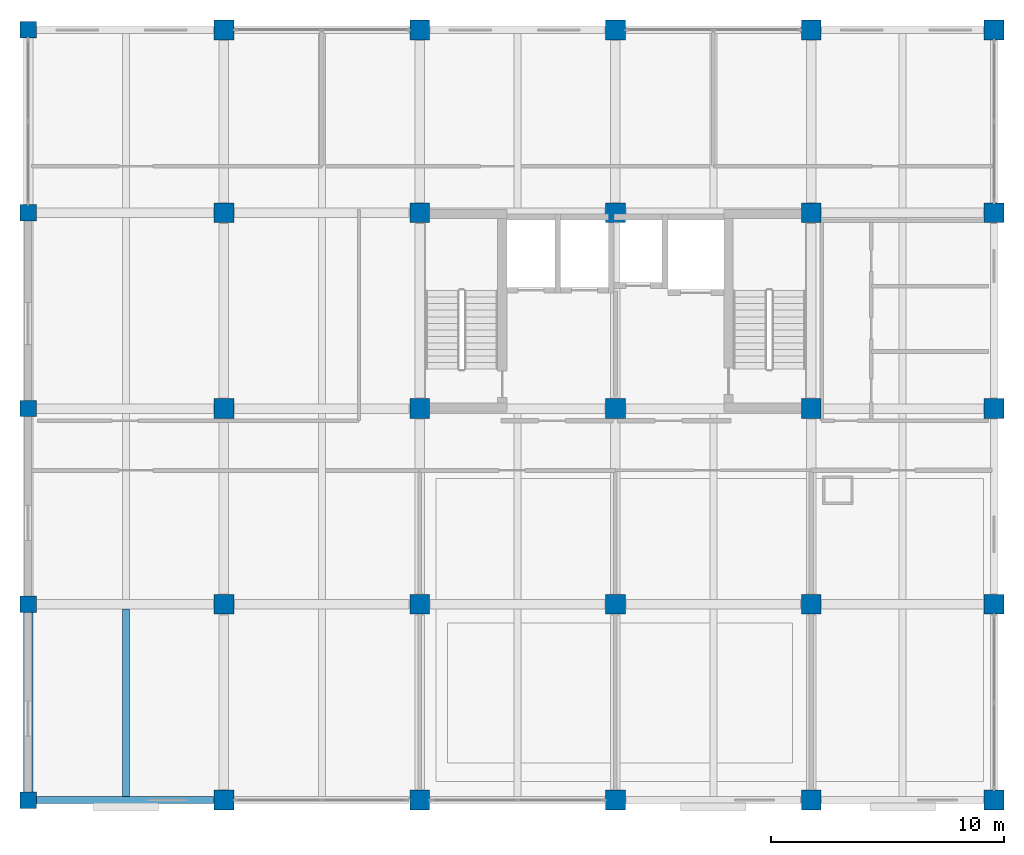
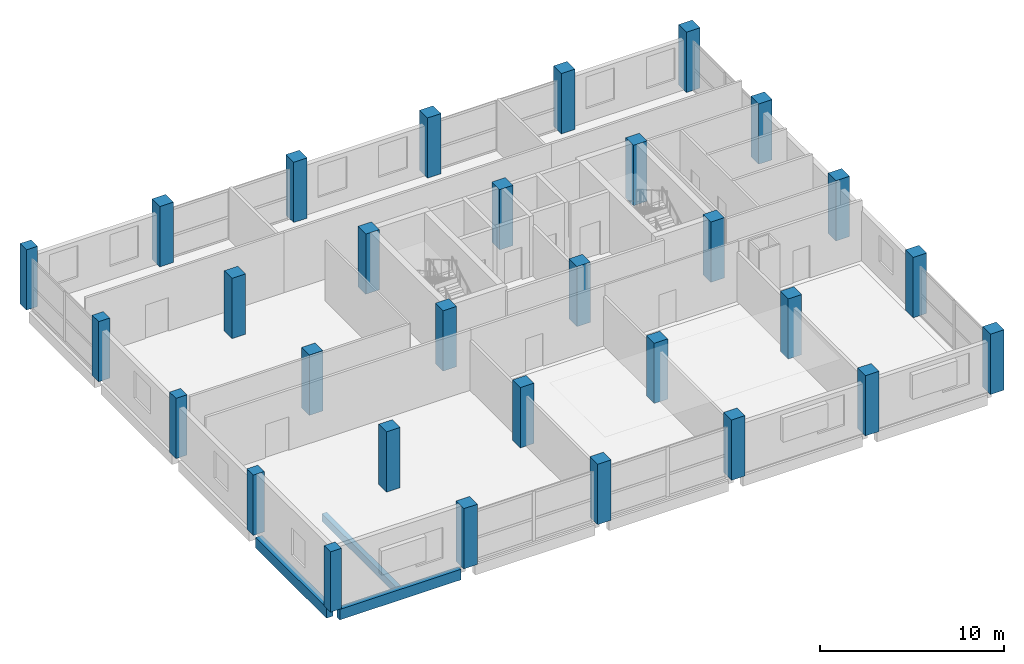
# One storey, part 1 of 11: 30 columns, 3 beams.
"""IFC4 building model written with IfcOpenShell, lengths in metres."""

from ifc_helpers import new_model, si_unit, direction, frame, origin, origin_2d, place, context, subcontext, project, spatial, rectangle, extrude, material, material_profile, profile_set, type_object, element, save


model = new_model("IFC4")

# Units and contexts
model_context = context("Model", 3, precision=1e-05, world=origin(), true_north=direction((0.0, 1.0)))
body_context = subcontext(model_context, "Body", "Model", "MODEL_VIEW")
ifc_project = project(units=[si_unit("LENGTHUNIT", "METRE"), si_unit("AREAUNIT", "SQUARE_METRE"), si_unit("VOLUMEUNIT", "CUBIC_METRE"), si_unit("PLANEANGLEUNIT", "RADIAN"), si_unit("MASSUNIT", "GRAM", prefix="KILO")], contexts=[model_context])

# Site, building, storey
site_placement = place(None, origin())
site = spatial("IfcSite", under=ifc_project, at=site_placement, CompositionType="ELEMENT")
building_placement = place(site_placement, origin())
building = spatial("IfcBuilding", under=site, at=building_placement, Name="Brinegate Botanical Conservatory", CompositionType="ELEMENT")
storey_placement = place(building_placement, frame((0.0, 0.0, 23.39990234375)))
storey = spatial("IfcBuildingStorey", under=building, at=storey_placement, Name="L06", CompositionType="ELEMENT", Elevation=23.39990234375)

# Columns
ifc_material_1 = material(Name="Concrete C50/60", Category="concrete")
ifc_material_profile_1 = material_profile(ifc_material_1, rectangle(XDim=0.699951171875, YDim=0.699951171875, at=origin_2d()), Name="RC COL 700x700")
ifc_profile_set_1 = profile_set([ifc_material_profile_1], Name="Concrete C50/60")
column_type_1 = type_object("IfcColumnType", Name="Col_C-JT", PredefinedType="COLUMN", material=ifc_profile_set_1)
for number, where, z_axis, x_axis, name in (
    (1, (122.0, 78.39990234375, 0.0), (0.0, 0.0, 1.0), (1.0, 0.0, 0.0), "Column C-JT L06 K-16"),
    (2, (122.0, 86.800048828125, 0.0), (0.0, 0.0, 1.0), (1.0, 0.0, 0.0), "Column C-JT L06 L-16"),
    (3, (122.0, 95.199951171875, 0.0), (0.0, 0.0, 1.0), (1.0, 0.0, 0.0), "Column C-JT L06 M-16"),
    (4, (122.0, 103.60009765625, 0.0), (0.0, 0.0, 1.0), (1.0, 0.0, 0.0), "Column C-JT L06 N-16"),
    (5, (122.0, 111.449951171875, 0.0), (0.0, 0.0, 1.0), (1.0, 0.0, 0.0), "Column C-JT L06 P-16"),
):
    element("IfcColumn", number, at=place(storey_placement, frame(where, z_axis=z_axis, x_axis=x_axis)), inside=storey, type_object=column_type_1, Name=name, PredefinedType="COLUMN", context=body_context, shape_type="SweptSolid", body=[
        extrude(rectangle(XDim=0.699951171875, YDim=0.699951171875, at=origin_2d()), origin(), (0.0, 0.0, 1.0), 4.0),
    ])
ifc_material_2 = material(Name="Concrete C40/50", Category="concrete")
ifc_material_profile_2 = material_profile(ifc_material_2, rectangle(XDim=0.85009765625, YDim=0.85009765625, at=origin_2d()), Name="RC COL 850x850")
ifc_profile_set_2 = profile_set([ifc_material_profile_2], Name="Concrete C40/50")
column_type_2 = type_object("IfcColumnType", Name="Col_C-T3", PredefinedType="COLUMN", material=ifc_profile_set_2)
for number, where, z_axis, x_axis, name in (
    (6, (130.39990234375, 78.39990234375, 0.0), (0.0, 0.0, 1.0), (1.0, 0.0, 0.0), "Column C-T3 L06 K-17"),
    (7, (130.39990234375, 86.800048828125, 0.0), (0.0, 0.0, 1.0), (1.0, 0.0, 0.0), "Column C-T3 L06 L-17"),
    (8, (130.39990234375, 95.199951171875, 0.0), (0.0, 0.0, 1.0), (1.0, 0.0, 0.0), "Column C-T3 L06 M-17"),
    (9, (130.39990234375, 103.60009765625, 0.0), (0.0, 0.0, 1.0), (1.0, 0.0, 0.0), "Column C-T3 L06 N-17"),
    (10, (130.39990234375, 111.449951171875, 0.0), (0.0, 0.0, 1.0), (1.0, 0.0, 0.0), "Column C-T3 L06 P-17"),
    (11, (138.800048828125, 78.39990234375, 0.0), (0.0, 0.0, 1.0), (1.0, 0.0, 0.0), "Column C-T3 L06 K-18"),
    (12, (138.800048828125, 86.800048828125, 0.0), (0.0, 0.0, 1.0), (1.0, 0.0, 0.0), "Column C-T3 L06 L-18"),
    (13, (138.800048828125, 95.199951171875, 0.0), (0.0, 0.0, 1.0), (1.0, 0.0, 0.0), "Column C-T3 L06 M-18"),
    (14, (138.800048828125, 103.60009765625, 0.0), (0.0, 0.0, 1.0), (1.0, 0.0, 0.0), "Column C-T3 L06 N-18"),
    (15, (138.800048828125, 111.449951171875, 0.0), (0.0, 0.0, 1.0), (1.0, 0.0, 0.0), "Column C-T3 L06 P-18"),
    (16, (147.199951171875, 78.39990234375, 0.0), (0.0, 0.0, 1.0), (1.0, 0.0, 0.0), "Column C-T3 L06 K-19"),
    (17, (147.199951171875, 86.800048828125, 0.0), (0.0, 0.0, 1.0), (1.0, 0.0, 0.0), "Column C-T3 L06 L-19"),
    (18, (147.199951171875, 95.199951171875, 0.0), (0.0, 0.0, 1.0), (1.0, 0.0, 0.0), "Column C-T3 L06 M-19"),
    (19, (147.199951171875, 103.60009765625, 0.0), (0.0, 0.0, 1.0), (1.0, 0.0, 0.0), "Column C-T3 L06 N-19"),
    (20, (147.199951171875, 111.449951171875, 0.0), (0.0, 0.0, 1.0), (1.0, 0.0, 0.0), "Column C-T3 L06 P-19"),
    (21, (155.60009765625, 78.39990234375, 0.0), (0.0, 0.0, 1.0), (1.0, 0.0, 0.0), "Column C-T3 L06 K-20"),
    (22, (155.60009765625, 86.800048828125, 0.0), (0.0, 0.0, 1.0), (1.0, 0.0, 0.0), "Column C-T3 L06 L-20"),
    (23, (155.60009765625, 95.199951171875, 0.0), (0.0, 0.0, 1.0), (1.0, 0.0, 0.0), "Column C-T3 L06 M-20"),
    (24, (155.60009765625, 103.60009765625, 0.0), (0.0, 0.0, 1.0), (1.0, 0.0, 0.0), "Column C-T3 L06 N-20"),
    (25, (155.60009765625, 111.449951171875, 0.0), (0.0, 0.0, 1.0), (1.0, 0.0, 0.0), "Column C-T3 L06 P-20"),
    (26, (163.449951171875, 78.39990234375, 0.0), (0.0, 0.0, 1.0), (1.0, 0.0, 0.0), "Column C-T3 L06 K-21"),
    (27, (163.449951171875, 86.800048828125, 0.0), (0.0, 0.0, 1.0), (1.0, 0.0, 0.0), "Column C-T3 L06 L-21"),
    (28, (163.449951171875, 95.199951171875, 0.0), (0.0, 0.0, 1.0), (1.0, 0.0, 0.0), "Column C-T3 L06 M-21"),
    (29, (163.449951171875, 103.60009765625, 0.0), (0.0, 0.0, 1.0), (1.0, 0.0, 0.0), "Column C-T3 L06 N-21"),
    (30, (163.449951171875, 111.449951171875, 0.0), (0.0, 0.0, 1.0), (1.0, 0.0, 0.0), "Column C-T3 L06 P-21"),
):
    element("IfcColumn", number, at=place(storey_placement, frame(where, z_axis=z_axis, x_axis=x_axis)), inside=storey, type_object=column_type_2, Name=name, PredefinedType="COLUMN", context=body_context, shape_type="SweptSolid", body=[
        extrude(rectangle(XDim=0.85009765625, YDim=0.85009765625, at=origin_2d()), origin(), (0.0, 0.0, 1.0), 4.0),
    ])

# Beams
ifc_material_profile_3 = material_profile(ifc_material_2, rectangle(XDim=0.39990234375, YDim=0.699951171875, at=origin_2d()), Name="RC BM 400x700")
ifc_profile_set_3 = profile_set([ifc_material_profile_3], Name="Concrete C40/50")
beam_type_1 = type_object("IfcBeamType", Name="Beam_BM-T2", PredefinedType="BEAM", material=ifc_profile_set_3)
beam_1_placement = place(storey_placement, frame((122.0, 78.75, -0.52978515625), z_axis=(0.0, 1.0, 0.0), x_axis=(-1.0, 0.0, 0.0)))
element("IfcBeam", 31, at=beam_1_placement, inside=storey, type_object=beam_type_1, Name="Beam BM-T2 L06 16:K-L", PredefinedType="BEAM", context=body_context, shape_type="SweptSolid", body=[
    extrude(rectangle(XDim=0.39990234375, YDim=0.699951171875, at=origin_2d()), origin(), (0.0, 0.0, 1.0), 7.699951171875),
])
ifc_material_profile_4 = material_profile(ifc_material_2, rectangle(XDim=0.300048828125, YDim=0.5, at=origin_2d()), Name="RC JST 300x500")
ifc_profile_set_4 = profile_set([ifc_material_profile_4], Name="Concrete C40/50")
beam_type_2 = type_object("IfcBeamType", Name="Beam_JS-C2", PredefinedType="JOIST", material=ifc_profile_set_4)
beam_2_placement = place(storey_placement, frame((126.199951171875, 78.550048828125, -0.429931640625), z_axis=(0.0, 1.0, 0.0), x_axis=(-1.0, 0.0, 0.0)))
element("IfcBeam", 32, at=beam_2_placement, inside=storey, type_object=beam_type_2, Name="Floor joist JS-C2 L06 bay 16.10", PredefinedType="JOIST", context=body_context, shape_type="SweptSolid", body=[
    extrude(rectangle(XDim=0.300048828125, YDim=0.5, at=origin_2d()), origin(), (0.0, 0.0, 1.0), 8.050048828125),
])
ifc_material_profile_5 = material_profile(ifc_material_2, rectangle(XDim=0.300048828125, YDim=0.699951171875, at=origin_2d()), Name="RC SPN 300x700")
ifc_profile_set_5 = profile_set([ifc_material_profile_5], Name="Concrete C40/50")
beam_type_3 = type_object("IfcBeamType", Name="Beam_SP-02", PredefinedType="SPANDREL", material=ifc_profile_set_5)
beam_3_placement = place(storey_placement, frame((122.35009765625, 78.39990234375, -0.52978515625), z_axis=(1.0, 0.0, 0.0), x_axis=(0.0, 1.0, 0.0)))
element("IfcBeam", 33, at=beam_3_placement, inside=storey, type_object=beam_type_3, Name="Beam SP-02 L06 K:16-17", PredefinedType="SPANDREL", context=body_context, shape_type="SweptSolid", body=[
    extrude(rectangle(XDim=0.300048828125, YDim=0.699951171875, at=origin_2d()), origin(), (0.0, 0.0, 1.0), 7.599853515625),
])

save(model, "model.ifc")
